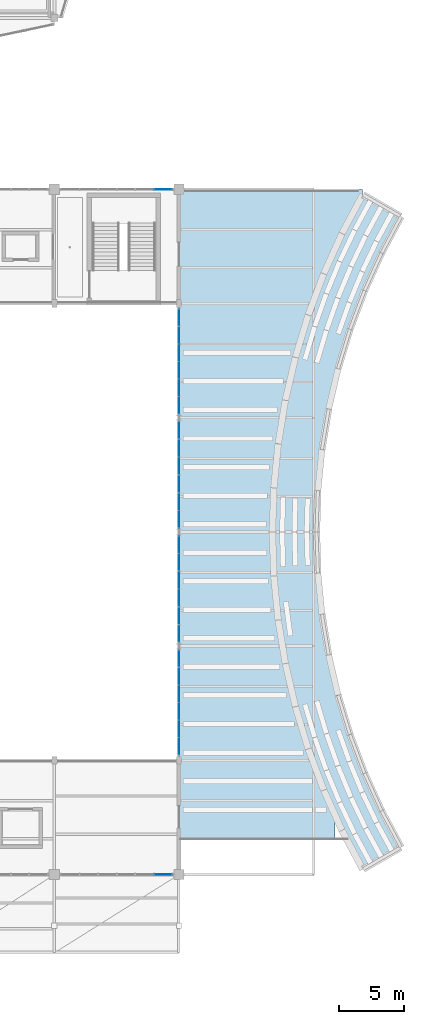
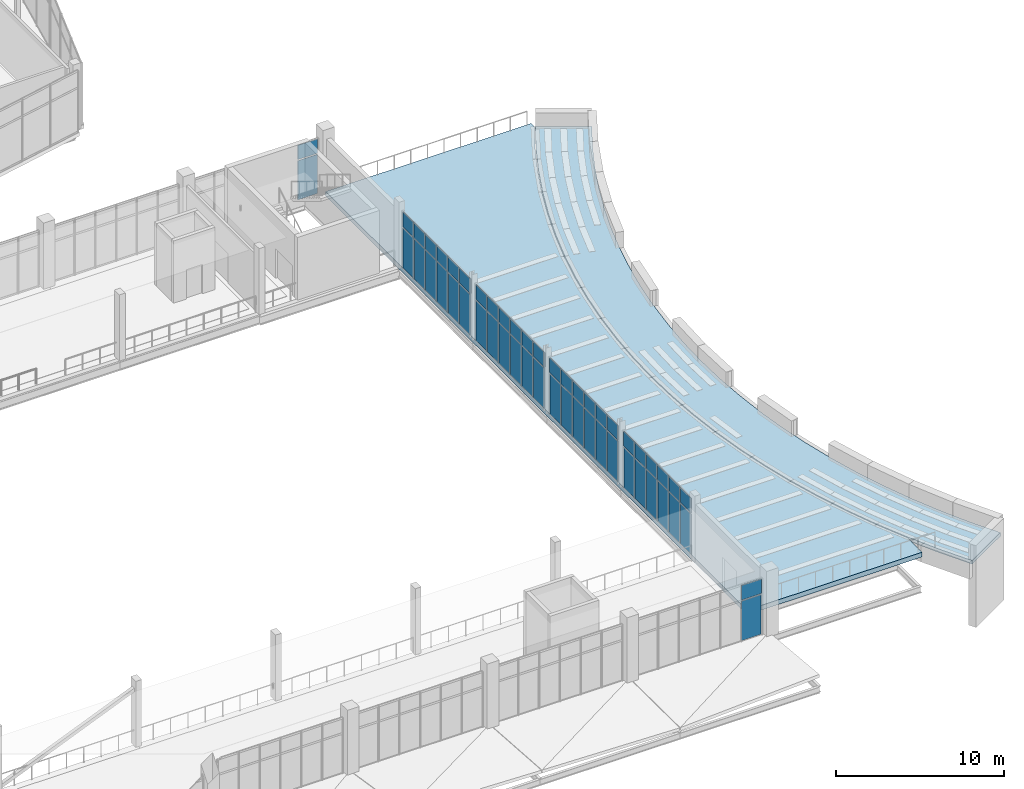
# One storey, part 126 of 157: 52 plates, 2 slabs, 6 elements without a shape of their own.
"""IFC4 building model written with IfcOpenShell, lengths in metres."""

from ifc_helpers import new_model, si_unit, direction, frame, origin, origin_2d, place, context, subcontext, project, spatial, polyline, rectangle, outline, extrude, material, layer, layer_set, type_object, element, aggregate, save


model = new_model("IFC4")

# Units and contexts
model_context = context("Model", 3, precision=1e-05, world=origin(), true_north=direction((0.0, 1.0)))
body_context = subcontext(model_context, "Body", "Model", "MODEL_VIEW")
ifc_project = project(units=[si_unit("LENGTHUNIT", "METRE"), si_unit("AREAUNIT", "SQUARE_METRE"), si_unit("VOLUMEUNIT", "CUBIC_METRE"), si_unit("PLANEANGLEUNIT", "RADIAN"), si_unit("MASSUNIT", "GRAM", prefix="KILO")], contexts=[model_context])

# Site, building, storey
site_placement = place(None, origin())
site = spatial("IfcSite", under=ifc_project, at=site_placement, CompositionType="ELEMENT")
building_placement = place(site_placement, origin())
building = spatial("IfcBuilding", under=site, at=building_placement, Name="Chalmorin Arch Market", CompositionType="ELEMENT")
storey_placement = place(building_placement, frame((0.0, 0.0, 4.800048828125)))
storey = spatial("IfcBuildingStorey", under=building, at=storey_placement, Name="L01", CompositionType="ELEMENT", Elevation=4.800048828125)

# Slabs
ifc_material_1 = material(Name="Concrete C40/50", Category="concrete")
ifc_layer_1 = layer(ifc_material_1, 0.340087890625)
ifc_layer_set_1 = layer_set([ifc_layer_1], Name="Concrete C40/50")
slab_type_1 = type_object("IfcSlabType", Name="GreenMoundDeckSlab-340", PredefinedType="FLOOR", material=ifc_layer_set_1)
slab_1_placement = place(storey_placement, frame((0.0, 0.0, -0.340087890625)))
element("IfcSlab", 1, at=slab_1_placement, inside=storey, type_object=slab_type_1, Name="ETS-340-093", PredefinedType="FLOOR", context=body_context, shape_type="SweptSolid", body=[
    extrude(outline(polyline([(124.820068359375, 58.800048828125), (138.931884765625, 58.800048828125), (138.931884765625, 58.419921875), (137.840087890625, 56.428955078125), (136.8359375, 54.39306640625), (135.9208984375, 52.31494140625), (135.097900390625, 50.198974609375), (134.368896484375, 48.049072265625), (133.73291015625, 45.868896484375), (133.194091796875, 43.6640625), (132.7509765625, 41.43701171875), (132.405029296875, 39.193115234375), (132.157958984375, 36.93603515625), (132.010009765625, 34.669921875), (131.9599609375, 32.39990234375), (132.010009765625, 30.1298828125), (132.157958984375, 27.864013671875), (132.405029296875, 25.60693359375), (132.7509765625, 23.363037109375), (133.194091796875, 21.135986328125), (133.73291015625, 18.930908203125), (134.368896484375, 16.7509765625), (135.097900390625, 14.60107421875), (135.9208984375, 12.485107421875), (136.8359375, 10.406982421875), (136.8359375, 8.64990234375), (124.820068359375, 8.64990234375), (124.820068359375, 58.800048828125)])), origin(), (0.0, 0.0, 1.0), 0.340087890625),
])
ifc_layer_2 = layer(ifc_material_1, 0.260009765625)
ifc_layer_set_2 = layer_set([ifc_layer_2], Name="Concrete C40/50")
slab_type_2 = type_object("IfcSlabType", Name="OutdoorTerraceLandingSlab-260", PredefinedType="BASESLAB", material=ifc_layer_set_2)
slab_2_placement = place(storey_placement, frame((0.0, 0.0, -0.260009765625)))
element("IfcSlab", 2, at=slab_2_placement, inside=storey, type_object=slab_type_2, Name="ETL-260-059", PredefinedType="BASESLAB", context=body_context, shape_type="SweptSolid", body=[
    extrude(outline(polyline([(138.97998046875, 58.39208984375), (137.888916015625, 56.404052734375), (136.885986328125, 54.3701171875), (135.971923828125, 52.2939453125), (135.14990234375, 50.179931640625), (134.4208984375, 48.031982421875), (133.785888671875, 45.85498046875), (133.2470703125, 43.652099609375), (132.804931640625, 41.427001953125), (132.4599609375, 39.18505859375), (132.212890625, 36.930908203125), (132.06396484375, 34.66796875), (132.014892578125, 32.39990234375), (132.06396484375, 30.132080078125), (132.212890625, 27.868896484375), (132.4599609375, 25.614990234375), (132.804931640625, 23.373046875), (133.2470703125, 21.14794921875), (133.785888671875, 18.945068359375), (134.4208984375, 16.76806640625), (135.14990234375, 14.6201171875), (135.971923828125, 12.506103515625), (136.885986328125, 10.429931640625), (137.888916015625, 8.39599609375), (138.97998046875, 6.406982421875), (141.89794921875, 8.092041015625), (140.8779296875, 9.951904296875), (139.93994140625, 11.85400390625), (139.0859375, 13.7958984375), (138.31689453125, 15.77294921875), (137.635009765625, 17.781005859375), (137.0419921875, 19.818115234375), (136.537109375, 21.8779296875), (136.1240234375, 23.9580078125), (135.801025390625, 26.053955078125), (135.570068359375, 28.1630859375), (135.430908203125, 30.279052734375), (135.385009765625, 32.39990234375), (135.430908203125, 34.52099609375), (135.570068359375, 36.636962890625), (135.801025390625, 38.74609375), (136.1240234375, 40.842041015625), (136.537109375, 42.922119140625), (137.0419921875, 44.98193359375), (137.635009765625, 47.01904296875), (138.31689453125, 49.027099609375), (139.0859375, 51.00390625), (139.93994140625, 52.946044921875), (140.8779296875, 54.847900390625), (141.89794921875, 56.70703125), (138.97998046875, 58.39208984375)])), origin(), (0.0, 0.0, 1.0), 0.260009765625),
])

# Curtain wall, plate
ifc_material_2 = material(Name="Aluminium 6063-T6", Category="aluminium")
ifc_layer_3 = layer(ifc_material_2, 0.159912109375)
ifc_layer_set_3 = layer_set([ifc_layer_3], Name="Aluminium 6063-T6")
curtain_wall_type_1 = type_object("IfcCurtainWallType", Name="MarketClerestoryCurtainWall-CW1-8580x4100", PredefinedType="NOTDEFINED", material=ifc_layer_set_3)
curtain_wall_1_placement = place(storey_placement, origin())
curtain_wall_1 = element("IfcCurtainWall", 3, at=curtain_wall_1_placement, inside=storey, type_object=curtain_wall_type_1, Name="CW-01-024", PredefinedType="NOTDEFINED")
ifc_material_3 = material(Name="Powder-coated Aluminium Panel", Category="aluminium")
ifc_layer_4 = layer(ifc_material_3, 0.0400390625)
ifc_layer_set_4 = layer_set([ifc_layer_4], Name="Powder-coated Aluminium Panel")
plate_type_1 = type_object("IfcPlateType", Name="ShadowboxSpandrelPanel-40", PredefinedType="CURTAIN_PANEL", material=ifc_layer_set_4)
plate_1_placement = place(storey_placement, frame((123.574951171875, 58.800048828125, 2.994140625), z_axis=(0.0, 0.0, 1.0), x_axis=(1.0, 0.0, 0.0)))
plate_1 = element("IfcPlate", 4, at=plate_1_placement, type_object=plate_type_1, Name="SP-40-024-06B", PredefinedType="CURTAIN_PANEL", context=body_context, shape_type="SweptSolid", body=[
    extrude(rectangle(XDim=1.35009765625, YDim=0.0400390625, at=origin_2d()), origin(), (0.0, 0.0, 1.0), 1.031982421875),
])

# Curtain wall, plates
ifc_layer_5 = layer(ifc_material_2, 0.159912109375)
ifc_layer_set_5 = layer_set([ifc_layer_5], Name="Aluminium 6063-T6")
curtain_wall_type_2 = type_object("IfcCurtainWallType", Name="GableTympanumCurtainWall-CW4-8100x4200", PredefinedType="NOTDEFINED", material=ifc_layer_set_5)
curtain_wall_2_placement = place(storey_placement, origin())
curtain_wall_2 = element("IfcCurtainWall", 5, at=curtain_wall_2_placement, inside=storey, type_object=curtain_wall_type_2, Name="CW-04-038", PredefinedType="NOTDEFINED")
plate_2_placement = place(storey_placement, frame((124.800048828125, 15.88525390625, 3.06884765625), z_axis=(0.0, 0.0, 1.0), x_axis=(0.0, 1.0, 0.0)))
plate_2 = element("IfcPlate", 6, at=plate_2_placement, type_object=plate_type_1, Name="SP-40-038-01B", PredefinedType="CURTAIN_PANEL", context=body_context, shape_type="SweptSolid", body=[
    extrude(rectangle(XDim=1.270263671875, YDim=0.0400390625, at=origin_2d()), origin(), (0.0, 0.0, 1.0), 1.06103515625),
])
plate_3_placement = place(storey_placement, frame((124.800048828125, 17.235595703125, 3.06884765625), z_axis=(0.0, 0.0, 1.0), x_axis=(0.0, 1.0, 0.0)))
plate_3 = element("IfcPlate", 7, at=plate_3_placement, type_object=plate_type_1, Name="SP-40-038-02B", PredefinedType="CURTAIN_PANEL", context=body_context, shape_type="SweptSolid", body=[
    extrude(rectangle(XDim=1.270263671875, YDim=0.0400390625, at=origin_2d()), origin(), (0.0, 0.0, 1.0), 1.06103515625),
])
plate_4_placement = place(storey_placement, frame((124.800048828125, 18.585693359375, 3.06884765625), z_axis=(0.0, 0.0, 1.0), x_axis=(0.0, 1.0, 0.0)))
plate_4 = element("IfcPlate", 8, at=plate_4_placement, type_object=plate_type_1, Name="SP-40-038-03B", PredefinedType="CURTAIN_PANEL", context=body_context, shape_type="SweptSolid", body=[
    extrude(rectangle(XDim=1.270263671875, YDim=0.0400390625, at=origin_2d()), origin(), (0.0, 0.0, 1.0), 1.06103515625),
])
plate_5_placement = place(storey_placement, frame((124.800048828125, 19.936279296875, 3.06884765625), z_axis=(0.0, 0.0, 1.0), x_axis=(0.0, 1.0, 0.0)))
plate_5 = element("IfcPlate", 9, at=plate_5_placement, type_object=plate_type_1, Name="SP-40-038-04B", PredefinedType="CURTAIN_PANEL", context=body_context, shape_type="SweptSolid", body=[
    extrude(rectangle(XDim=1.270263671875, YDim=0.0400390625, at=origin_2d()), origin(), (0.0, 0.0, 1.0), 1.06103515625),
])
plate_6_placement = place(storey_placement, frame((124.800048828125, 21.28662109375, 3.06884765625), z_axis=(0.0, 0.0, 1.0), x_axis=(0.0, 1.0, 0.0)))
plate_6 = element("IfcPlate", 10, at=plate_6_placement, type_object=plate_type_1, Name="SP-40-038-05B", PredefinedType="CURTAIN_PANEL", context=body_context, shape_type="SweptSolid", body=[
    extrude(rectangle(XDim=1.270263671875, YDim=0.0400390625, at=origin_2d()), origin(), (0.0, 0.0, 1.0), 1.06103515625),
])
plate_7_placement = place(storey_placement, frame((124.800048828125, 22.63671875, 3.06884765625), z_axis=(0.0, 0.0, 1.0), x_axis=(0.0, 1.0, 0.0)))
plate_7 = element("IfcPlate", 11, at=plate_7_placement, type_object=plate_type_1, Name="SP-40-038-06B", PredefinedType="CURTAIN_PANEL", context=body_context, shape_type="SweptSolid", body=[
    extrude(rectangle(XDim=1.270263671875, YDim=0.0400390625, at=origin_2d()), origin(), (0.0, 0.0, 1.0), 1.06103515625),
])

ifc_layer_6 = layer(ifc_material_2, 0.159912109375)
ifc_layer_set_6 = layer_set([ifc_layer_6], Name="Aluminium 6063-T6")
curtain_wall_type_3 = type_object("IfcCurtainWallType", Name="GableTympanumCurtainWall-CW4-8220x4200", PredefinedType="NOTDEFINED", material=ifc_layer_set_6)
curtain_wall_3_placement = place(storey_placement, origin())
curtain_wall_3 = element("IfcCurtainWall", 12, at=curtain_wall_3_placement, inside=storey, type_object=curtain_wall_type_3, Name="CW-04-040", PredefinedType="NOTDEFINED")
plate_8_placement = place(storey_placement, frame((124.800048828125, 24.5732421875, 3.06884765625), z_axis=(0.0, 0.0, 1.0), x_axis=(0.0, 1.0, 0.0)))
plate_8 = element("IfcPlate", 13, at=plate_8_placement, type_object=plate_type_1, Name="SP-40-040-01B", PredefinedType="CURTAIN_PANEL", context=body_context, shape_type="SweptSolid", body=[
    extrude(rectangle(XDim=1.290771484375, YDim=0.0400390625, at=origin_2d()), origin(), (0.0, 0.0, 1.0), 1.06103515625),
])
plate_9_placement = place(storey_placement, frame((124.800048828125, 25.944091796875, 3.06884765625), z_axis=(0.0, 0.0, 1.0), x_axis=(0.0, 1.0, 0.0)))
plate_9 = element("IfcPlate", 14, at=plate_9_placement, type_object=plate_type_1, Name="SP-40-040-02B", PredefinedType="CURTAIN_PANEL", context=body_context, shape_type="SweptSolid", body=[
    extrude(rectangle(XDim=1.290771484375, YDim=0.0400390625, at=origin_2d()), origin(), (0.0, 0.0, 1.0), 1.06103515625),
])
plate_10_placement = place(storey_placement, frame((124.800048828125, 27.314697265625, 3.06884765625), z_axis=(0.0, 0.0, 1.0), x_axis=(0.0, 1.0, 0.0)))
plate_10 = element("IfcPlate", 15, at=plate_10_placement, type_object=plate_type_1, Name="SP-40-040-03B", PredefinedType="CURTAIN_PANEL", context=body_context, shape_type="SweptSolid", body=[
    extrude(rectangle(XDim=1.290771484375, YDim=0.0400390625, at=origin_2d()), origin(), (0.0, 0.0, 1.0), 1.06103515625),
])
plate_11_placement = place(storey_placement, frame((124.800048828125, 28.685302734375, 3.06884765625), z_axis=(0.0, 0.0, 1.0), x_axis=(0.0, 1.0, 0.0)))
plate_11 = element("IfcPlate", 16, at=plate_11_placement, type_object=plate_type_1, Name="SP-40-040-04B", PredefinedType="CURTAIN_PANEL", context=body_context, shape_type="SweptSolid", body=[
    extrude(rectangle(XDim=1.290771484375, YDim=0.0400390625, at=origin_2d()), origin(), (0.0, 0.0, 1.0), 1.06103515625),
])
plate_12_placement = place(storey_placement, frame((124.800048828125, 30.055908203125, 3.06884765625), z_axis=(0.0, 0.0, 1.0), x_axis=(0.0, 1.0, 0.0)))
plate_12 = element("IfcPlate", 17, at=plate_12_placement, type_object=plate_type_1, Name="SP-40-040-05B", PredefinedType="CURTAIN_PANEL", context=body_context, shape_type="SweptSolid", body=[
    extrude(rectangle(XDim=1.290771484375, YDim=0.0400390625, at=origin_2d()), origin(), (0.0, 0.0, 1.0), 1.06103515625),
])
plate_13_placement = place(storey_placement, frame((124.800048828125, 31.4267578125, 3.06884765625), z_axis=(0.0, 0.0, 1.0), x_axis=(0.0, 1.0, 0.0)))
plate_13 = element("IfcPlate", 18, at=plate_13_placement, type_object=plate_type_1, Name="SP-40-040-06B", PredefinedType="CURTAIN_PANEL", context=body_context, shape_type="SweptSolid", body=[
    extrude(rectangle(XDim=1.290771484375, YDim=0.0400390625, at=origin_2d()), origin(), (0.0, 0.0, 1.0), 1.06103515625),
])

curtain_wall_4_placement = place(storey_placement, origin())
curtain_wall_4 = element("IfcCurtainWall", 19, at=curtain_wall_4_placement, inside=storey, type_object=curtain_wall_type_3, Name="CW-04-041", PredefinedType="NOTDEFINED")
plate_14_placement = place(storey_placement, frame((124.800048828125, 33.373291015625, 3.06884765625), z_axis=(0.0, 0.0, 1.0), x_axis=(0.0, 1.0, 0.0)))
plate_14 = element("IfcPlate", 20, at=plate_14_placement, type_object=plate_type_1, Name="SP-40-041-01B", PredefinedType="CURTAIN_PANEL", context=body_context, shape_type="SweptSolid", body=[
    extrude(rectangle(XDim=1.290771484375, YDim=0.0400390625, at=origin_2d()), origin(), (0.0, 0.0, 1.0), 1.06103515625),
])
plate_15_placement = place(storey_placement, frame((124.800048828125, 34.743896484375, 3.06884765625), z_axis=(0.0, 0.0, 1.0), x_axis=(0.0, 1.0, 0.0)))
plate_15 = element("IfcPlate", 21, at=plate_15_placement, type_object=plate_type_1, Name="SP-40-041-02B", PredefinedType="CURTAIN_PANEL", context=body_context, shape_type="SweptSolid", body=[
    extrude(rectangle(XDim=1.290771484375, YDim=0.0400390625, at=origin_2d()), origin(), (0.0, 0.0, 1.0), 1.06103515625),
])
plate_16_placement = place(storey_placement, frame((124.800048828125, 36.11474609375, 3.06884765625), z_axis=(0.0, 0.0, 1.0), x_axis=(0.0, 1.0, 0.0)))
plate_16 = element("IfcPlate", 22, at=plate_16_placement, type_object=plate_type_1, Name="SP-40-041-03B", PredefinedType="CURTAIN_PANEL", context=body_context, shape_type="SweptSolid", body=[
    extrude(rectangle(XDim=1.290771484375, YDim=0.0400390625, at=origin_2d()), origin(), (0.0, 0.0, 1.0), 1.06103515625),
])
plate_17_placement = place(storey_placement, frame((124.800048828125, 37.4853515625, 3.06884765625), z_axis=(0.0, 0.0, 1.0), x_axis=(0.0, 1.0, 0.0)))
plate_17 = element("IfcPlate", 23, at=plate_17_placement, type_object=plate_type_1, Name="SP-40-041-04B", PredefinedType="CURTAIN_PANEL", context=body_context, shape_type="SweptSolid", body=[
    extrude(rectangle(XDim=1.290771484375, YDim=0.0400390625, at=origin_2d()), origin(), (0.0, 0.0, 1.0), 1.06103515625),
])
plate_18_placement = place(storey_placement, frame((124.800048828125, 38.85595703125, 3.06884765625), z_axis=(0.0, 0.0, 1.0), x_axis=(0.0, 1.0, 0.0)))
plate_18 = element("IfcPlate", 24, at=plate_18_placement, type_object=plate_type_1, Name="SP-40-041-05B", PredefinedType="CURTAIN_PANEL", context=body_context, shape_type="SweptSolid", body=[
    extrude(rectangle(XDim=1.290771484375, YDim=0.0400390625, at=origin_2d()), origin(), (0.0, 0.0, 1.0), 1.06103515625),
])
plate_19_placement = place(storey_placement, frame((124.800048828125, 40.226806640625, 3.06884765625), z_axis=(0.0, 0.0, 1.0), x_axis=(0.0, 1.0, 0.0)))
plate_19 = element("IfcPlate", 25, at=plate_19_placement, type_object=plate_type_1, Name="SP-40-041-06B", PredefinedType="CURTAIN_PANEL", context=body_context, shape_type="SweptSolid", body=[
    extrude(rectangle(XDim=1.290771484375, YDim=0.0400390625, at=origin_2d()), origin(), (0.0, 0.0, 1.0), 1.06103515625),
])

curtain_wall_5_placement = place(storey_placement, origin())
curtain_wall_5 = element("IfcCurtainWall", 26, at=curtain_wall_5_placement, inside=storey, type_object=curtain_wall_type_2, Name="CW-04-042", PredefinedType="NOTDEFINED")
plate_20_placement = place(storey_placement, frame((124.800048828125, 42.1630859375, 3.06884765625), z_axis=(0.0, 0.0, 1.0), x_axis=(0.0, 1.0, 0.0)))
plate_20 = element("IfcPlate", 27, at=plate_20_placement, type_object=plate_type_1, Name="SP-40-042-01B", PredefinedType="CURTAIN_PANEL", context=body_context, shape_type="SweptSolid", body=[
    extrude(rectangle(XDim=1.270263671875, YDim=0.0400390625, at=origin_2d()), origin(), (0.0, 0.0, 1.0), 1.06103515625),
])
plate_21_placement = place(storey_placement, frame((124.800048828125, 43.513427734375, 3.06884765625), z_axis=(0.0, 0.0, 1.0), x_axis=(0.0, 1.0, 0.0)))
plate_21 = element("IfcPlate", 28, at=plate_21_placement, type_object=plate_type_1, Name="SP-40-042-02B", PredefinedType="CURTAIN_PANEL", context=body_context, shape_type="SweptSolid", body=[
    extrude(rectangle(XDim=1.270263671875, YDim=0.0400390625, at=origin_2d()), origin(), (0.0, 0.0, 1.0), 1.06103515625),
])
plate_22_placement = place(storey_placement, frame((124.800048828125, 44.86376953125, 3.06884765625), z_axis=(0.0, 0.0, 1.0), x_axis=(0.0, 1.0, 0.0)))
plate_22 = element("IfcPlate", 29, at=plate_22_placement, type_object=plate_type_1, Name="SP-40-042-03B", PredefinedType="CURTAIN_PANEL", context=body_context, shape_type="SweptSolid", body=[
    extrude(rectangle(XDim=1.270263671875, YDim=0.0400390625, at=origin_2d()), origin(), (0.0, 0.0, 1.0), 1.06103515625),
])
plate_23_placement = place(storey_placement, frame((124.800048828125, 46.214111328125, 3.06884765625), z_axis=(0.0, 0.0, 1.0), x_axis=(0.0, 1.0, 0.0)))
plate_23 = element("IfcPlate", 30, at=plate_23_placement, type_object=plate_type_1, Name="SP-40-042-04B", PredefinedType="CURTAIN_PANEL", context=body_context, shape_type="SweptSolid", body=[
    extrude(rectangle(XDim=1.270263671875, YDim=0.0400390625, at=origin_2d()), origin(), (0.0, 0.0, 1.0), 1.06103515625),
])
plate_24_placement = place(storey_placement, frame((124.800048828125, 47.564453125, 3.06884765625), z_axis=(0.0, 0.0, 1.0), x_axis=(0.0, 1.0, 0.0)))
plate_24 = element("IfcPlate", 31, at=plate_24_placement, type_object=plate_type_1, Name="SP-40-042-05B", PredefinedType="CURTAIN_PANEL", context=body_context, shape_type="SweptSolid", body=[
    extrude(rectangle(XDim=1.270263671875, YDim=0.0400390625, at=origin_2d()), origin(), (0.0, 0.0, 1.0), 1.06103515625),
])
plate_25_placement = place(storey_placement, frame((124.800048828125, 48.914794921875, 3.06884765625), z_axis=(0.0, 0.0, 1.0), x_axis=(0.0, 1.0, 0.0)))
plate_25 = element("IfcPlate", 32, at=plate_25_placement, type_object=plate_type_1, Name="SP-40-042-06B", PredefinedType="CURTAIN_PANEL", context=body_context, shape_type="SweptSolid", body=[
    extrude(rectangle(XDim=1.270263671875, YDim=0.0400390625, at=origin_2d()), origin(), (0.0, 0.0, 1.0), 1.06103515625),
])

ifc_layer_7 = layer(ifc_material_2, 0.159912109375)
ifc_layer_set_7 = layer_set([ifc_layer_7], Name="Aluminium 6063-T6")
curtain_wall_type_4 = type_object("IfcCurtainWallType", Name="MarketClerestoryCurtainWall-CW1-8580x4150", PredefinedType="NOTDEFINED", material=ifc_layer_set_7)
curtain_wall_6_placement = place(storey_placement, origin())
curtain_wall_6 = element("IfcCurtainWall", 33, at=curtain_wall_6_placement, inside=storey, type_object=curtain_wall_type_4, Name="CW-01-022", PredefinedType="NOTDEFINED")
ifc_material_4 = material(Name="Architectural Terracotta", Category="masonry")
ifc_layer_8 = layer(ifc_material_4, 0.044921875)
ifc_layer_set_8 = layer_set([ifc_layer_8], Name="Architectural Terracotta")
plate_type_2 = type_object("IfcPlateType", Name="TerracottaSpandrelPanel-45", PredefinedType="CURTAIN_PANEL", material=ifc_layer_set_8)
plate_26_placement = place(storey_placement, frame((123.574951171875, 6.0, 3.03271484375), z_axis=(0.0, 0.0, 1.0), x_axis=(1.0, 0.0, 0.0)))
plate_26 = element("IfcPlate", 34, at=plate_26_placement, type_object=plate_type_2, Name="SP-45-022-06B", PredefinedType="CURTAIN_PANEL", context=body_context, shape_type="SweptSolid", body=[
    extrude(rectangle(XDim=1.35009765625, YDim=0.044921875, at=origin_2d()), origin(), (0.0, 0.0, 1.0), 1.047119140625),
])
ifc_material_5 = material(Name="Laminated Acoustic Glass", Category="glass")
ifc_layer_9 = layer(ifc_material_5, 0.031982421875)
ifc_layer_set_9 = layer_set([ifc_layer_9], Name="Laminated Acoustic Glass")
plate_type_3 = type_object("IfcPlateType", Name="TintedClerestoryGlass-32", PredefinedType="CURTAIN_PANEL", material=ifc_layer_set_9)
plate_27_placement = place(storey_placement, frame((123.574951171875, 6.0, 0.06982421875), z_axis=(0.0, 0.0, 1.0), x_axis=(1.0, 0.0, 0.0)))
plate_27 = element("IfcPlate", 35, at=plate_27_placement, type_object=plate_type_3, Name="GL-32-022-06A", PredefinedType="CURTAIN_PANEL", context=body_context, shape_type="SweptSolid", body=[
    extrude(rectangle(XDim=1.35009765625, YDim=0.031982421875, at=origin_2d()), origin(), (0.0, 0.0, 1.0), 2.873046875),
])
aggregate(curtain_wall_6, [plate_27, plate_26])

# Plate
ifc_material_6 = material(Name="Low-E Tempered Glass", Category="glass")
ifc_layer_10 = layer(ifc_material_6, 0.028076171875)
ifc_layer_set_10 = layer_set([ifc_layer_10], Name="Low-E Tempered Glass")
plate_type_4 = type_object("IfcPlateType", Name="VisionIGUPanel-28", PredefinedType="CURTAIN_PANEL", material=ifc_layer_set_10)
plate_28_placement = place(storey_placement, frame((123.574951171875, 58.800048828125, 0.070068359375), z_axis=(0.0, 0.0, 1.0), x_axis=(1.0, 0.0, 0.0)))
plate_28 = element("IfcPlate", 36, at=plate_28_placement, type_object=plate_type_4, Name="GL-28-024-06A", PredefinedType="CURTAIN_PANEL", context=body_context, shape_type="SweptSolid", body=[
    extrude(rectangle(XDim=1.35009765625, YDim=0.028076171875, at=origin_2d()), origin(), (0.0, 0.0, 1.0), 2.833984375),
])

aggregate(curtain_wall_1, [plate_28, plate_1])

plate_29_placement = place(storey_placement, frame((124.800048828125, 15.88525390625, 0.06982421875), z_axis=(0.0, 0.0, 1.0), x_axis=(0.0, 1.0, 0.0)))
plate_29 = element("IfcPlate", 37, at=plate_29_placement, type_object=plate_type_4, Name="GL-28-038-01A", PredefinedType="CURTAIN_PANEL", context=body_context, shape_type="SweptSolid", body=[
    extrude(rectangle(XDim=1.270263671875, YDim=0.028076171875, at=origin_2d()), origin(), (0.0, 0.0, 1.0), 2.908935546875),
])

plate_30_placement = place(storey_placement, frame((124.800048828125, 17.235595703125, 0.06982421875), z_axis=(0.0, 0.0, 1.0), x_axis=(0.0, 1.0, 0.0)))
plate_30 = element("IfcPlate", 38, at=plate_30_placement, type_object=plate_type_4, Name="GL-28-038-02A", PredefinedType="CURTAIN_PANEL", context=body_context, shape_type="SweptSolid", body=[
    extrude(rectangle(XDim=1.270263671875, YDim=0.028076171875, at=origin_2d()), origin(), (0.0, 0.0, 1.0), 2.908935546875),
])

plate_31_placement = place(storey_placement, frame((124.800048828125, 18.585693359375, 0.06982421875), z_axis=(0.0, 0.0, 1.0), x_axis=(0.0, 1.0, 0.0)))
plate_31 = element("IfcPlate", 39, at=plate_31_placement, type_object=plate_type_4, Name="GL-28-038-03A", PredefinedType="CURTAIN_PANEL", context=body_context, shape_type="SweptSolid", body=[
    extrude(rectangle(XDim=1.270263671875, YDim=0.028076171875, at=origin_2d()), origin(), (0.0, 0.0, 1.0), 2.908935546875),
])

plate_32_placement = place(storey_placement, frame((124.800048828125, 19.936279296875, 0.06982421875), z_axis=(0.0, 0.0, 1.0), x_axis=(0.0, 1.0, 0.0)))
plate_32 = element("IfcPlate", 40, at=plate_32_placement, type_object=plate_type_4, Name="GL-28-038-04A", PredefinedType="CURTAIN_PANEL", context=body_context, shape_type="SweptSolid", body=[
    extrude(rectangle(XDim=1.270263671875, YDim=0.028076171875, at=origin_2d()), origin(), (0.0, 0.0, 1.0), 2.908935546875),
])

plate_33_placement = place(storey_placement, frame((124.800048828125, 21.28662109375, 0.06982421875), z_axis=(0.0, 0.0, 1.0), x_axis=(0.0, 1.0, 0.0)))
plate_33 = element("IfcPlate", 41, at=plate_33_placement, type_object=plate_type_4, Name="GL-28-038-05A", PredefinedType="CURTAIN_PANEL", context=body_context, shape_type="SweptSolid", body=[
    extrude(rectangle(XDim=1.270263671875, YDim=0.028076171875, at=origin_2d()), origin(), (0.0, 0.0, 1.0), 2.908935546875),
])

plate_34_placement = place(storey_placement, frame((124.800048828125, 22.63671875, 0.06982421875), z_axis=(0.0, 0.0, 1.0), x_axis=(0.0, 1.0, 0.0)))
plate_34 = element("IfcPlate", 42, at=plate_34_placement, type_object=plate_type_4, Name="GL-28-038-06A", PredefinedType="CURTAIN_PANEL", context=body_context, shape_type="SweptSolid", body=[
    extrude(rectangle(XDim=1.270263671875, YDim=0.028076171875, at=origin_2d()), origin(), (0.0, 0.0, 1.0), 2.908935546875),
])

aggregate(curtain_wall_2, [plate_29, plate_2, plate_30, plate_3, plate_31, plate_4, plate_32, plate_5, plate_33, plate_6, plate_34, plate_7])

plate_35_placement = place(storey_placement, frame((124.800048828125, 24.5732421875, 0.06982421875), z_axis=(0.0, 0.0, 1.0), x_axis=(0.0, 1.0, 0.0)))
plate_35 = element("IfcPlate", 43, at=plate_35_placement, type_object=plate_type_4, Name="GL-28-040-01A", PredefinedType="CURTAIN_PANEL", context=body_context, shape_type="SweptSolid", body=[
    extrude(rectangle(XDim=1.290771484375, YDim=0.028076171875, at=origin_2d()), origin(), (0.0, 0.0, 1.0), 2.908935546875),
])

plate_36_placement = place(storey_placement, frame((124.800048828125, 25.944091796875, 0.06982421875), z_axis=(0.0, 0.0, 1.0), x_axis=(0.0, 1.0, 0.0)))
plate_36 = element("IfcPlate", 44, at=plate_36_placement, type_object=plate_type_4, Name="GL-28-040-02A", PredefinedType="CURTAIN_PANEL", context=body_context, shape_type="SweptSolid", body=[
    extrude(rectangle(XDim=1.290771484375, YDim=0.028076171875, at=origin_2d()), origin(), (0.0, 0.0, 1.0), 2.908935546875),
])

plate_37_placement = place(storey_placement, frame((124.800048828125, 27.314697265625, 0.06982421875), z_axis=(0.0, 0.0, 1.0), x_axis=(0.0, 1.0, 0.0)))
plate_37 = element("IfcPlate", 45, at=plate_37_placement, type_object=plate_type_4, Name="GL-28-040-03A", PredefinedType="CURTAIN_PANEL", context=body_context, shape_type="SweptSolid", body=[
    extrude(rectangle(XDim=1.290771484375, YDim=0.028076171875, at=origin_2d()), origin(), (0.0, 0.0, 1.0), 2.908935546875),
])

plate_38_placement = place(storey_placement, frame((124.800048828125, 28.685302734375, 0.06982421875), z_axis=(0.0, 0.0, 1.0), x_axis=(0.0, 1.0, 0.0)))
plate_38 = element("IfcPlate", 46, at=plate_38_placement, type_object=plate_type_4, Name="GL-28-040-04A", PredefinedType="CURTAIN_PANEL", context=body_context, shape_type="SweptSolid", body=[
    extrude(rectangle(XDim=1.290771484375, YDim=0.028076171875, at=origin_2d()), origin(), (0.0, 0.0, 1.0), 2.908935546875),
])

plate_39_placement = place(storey_placement, frame((124.800048828125, 30.055908203125, 0.06982421875), z_axis=(0.0, 0.0, 1.0), x_axis=(0.0, 1.0, 0.0)))
plate_39 = element("IfcPlate", 47, at=plate_39_placement, type_object=plate_type_4, Name="GL-28-040-05A", PredefinedType="CURTAIN_PANEL", context=body_context, shape_type="SweptSolid", body=[
    extrude(rectangle(XDim=1.290771484375, YDim=0.028076171875, at=origin_2d()), origin(), (0.0, 0.0, 1.0), 2.908935546875),
])

plate_40_placement = place(storey_placement, frame((124.800048828125, 31.4267578125, 0.06982421875), z_axis=(0.0, 0.0, 1.0), x_axis=(0.0, 1.0, 0.0)))
plate_40 = element("IfcPlate", 48, at=plate_40_placement, type_object=plate_type_4, Name="GL-28-040-06A", PredefinedType="CURTAIN_PANEL", context=body_context, shape_type="SweptSolid", body=[
    extrude(rectangle(XDim=1.290771484375, YDim=0.028076171875, at=origin_2d()), origin(), (0.0, 0.0, 1.0), 2.908935546875),
])

aggregate(curtain_wall_3, [plate_35, plate_8, plate_36, plate_9, plate_37, plate_10, plate_38, plate_11, plate_39, plate_12, plate_40, plate_13])

plate_41_placement = place(storey_placement, frame((124.800048828125, 33.373291015625, 0.06982421875), z_axis=(0.0, 0.0, 1.0), x_axis=(0.0, 1.0, 0.0)))
plate_41 = element("IfcPlate", 49, at=plate_41_placement, type_object=plate_type_4, Name="GL-28-041-01A", PredefinedType="CURTAIN_PANEL", context=body_context, shape_type="SweptSolid", body=[
    extrude(rectangle(XDim=1.290771484375, YDim=0.028076171875, at=origin_2d()), origin(), (0.0, 0.0, 1.0), 2.908935546875),
])

plate_42_placement = place(storey_placement, frame((124.800048828125, 34.743896484375, 0.06982421875), z_axis=(0.0, 0.0, 1.0), x_axis=(0.0, 1.0, 0.0)))
plate_42 = element("IfcPlate", 50, at=plate_42_placement, type_object=plate_type_4, Name="GL-28-041-02A", PredefinedType="CURTAIN_PANEL", context=body_context, shape_type="SweptSolid", body=[
    extrude(rectangle(XDim=1.290771484375, YDim=0.028076171875, at=origin_2d()), origin(), (0.0, 0.0, 1.0), 2.908935546875),
])

plate_43_placement = place(storey_placement, frame((124.800048828125, 36.11474609375, 0.06982421875), z_axis=(0.0, 0.0, 1.0), x_axis=(0.0, 1.0, 0.0)))
plate_43 = element("IfcPlate", 51, at=plate_43_placement, type_object=plate_type_4, Name="GL-28-041-03A", PredefinedType="CURTAIN_PANEL", context=body_context, shape_type="SweptSolid", body=[
    extrude(rectangle(XDim=1.290771484375, YDim=0.028076171875, at=origin_2d()), origin(), (0.0, 0.0, 1.0), 2.908935546875),
])

plate_44_placement = place(storey_placement, frame((124.800048828125, 37.4853515625, 0.06982421875), z_axis=(0.0, 0.0, 1.0), x_axis=(0.0, 1.0, 0.0)))
plate_44 = element("IfcPlate", 52, at=plate_44_placement, type_object=plate_type_4, Name="GL-28-041-04A", PredefinedType="CURTAIN_PANEL", context=body_context, shape_type="SweptSolid", body=[
    extrude(rectangle(XDim=1.290771484375, YDim=0.028076171875, at=origin_2d()), origin(), (0.0, 0.0, 1.0), 2.908935546875),
])

plate_45_placement = place(storey_placement, frame((124.800048828125, 38.85595703125, 0.06982421875), z_axis=(0.0, 0.0, 1.0), x_axis=(0.0, 1.0, 0.0)))
plate_45 = element("IfcPlate", 53, at=plate_45_placement, type_object=plate_type_4, Name="GL-28-041-05A", PredefinedType="CURTAIN_PANEL", context=body_context, shape_type="SweptSolid", body=[
    extrude(rectangle(XDim=1.290771484375, YDim=0.028076171875, at=origin_2d()), origin(), (0.0, 0.0, 1.0), 2.908935546875),
])

plate_46_placement = place(storey_placement, frame((124.800048828125, 40.226806640625, 0.06982421875), z_axis=(0.0, 0.0, 1.0), x_axis=(0.0, 1.0, 0.0)))
plate_46 = element("IfcPlate", 54, at=plate_46_placement, type_object=plate_type_4, Name="GL-28-041-06A", PredefinedType="CURTAIN_PANEL", context=body_context, shape_type="SweptSolid", body=[
    extrude(rectangle(XDim=1.290771484375, YDim=0.028076171875, at=origin_2d()), origin(), (0.0, 0.0, 1.0), 2.908935546875),
])

aggregate(curtain_wall_4, [plate_41, plate_14, plate_42, plate_15, plate_43, plate_16, plate_44, plate_17, plate_45, plate_18, plate_46, plate_19])

plate_47_placement = place(storey_placement, frame((124.800048828125, 42.1630859375, 0.06982421875), z_axis=(0.0, 0.0, 1.0), x_axis=(0.0, 1.0, 0.0)))
plate_47 = element("IfcPlate", 55, at=plate_47_placement, type_object=plate_type_4, Name="GL-28-042-01A", PredefinedType="CURTAIN_PANEL", context=body_context, shape_type="SweptSolid", body=[
    extrude(rectangle(XDim=1.270263671875, YDim=0.028076171875, at=origin_2d()), origin(), (0.0, 0.0, 1.0), 2.908935546875),
])

plate_48_placement = place(storey_placement, frame((124.800048828125, 43.513427734375, 0.06982421875), z_axis=(0.0, 0.0, 1.0), x_axis=(0.0, 1.0, 0.0)))
plate_48 = element("IfcPlate", 56, at=plate_48_placement, type_object=plate_type_4, Name="GL-28-042-02A", PredefinedType="CURTAIN_PANEL", context=body_context, shape_type="SweptSolid", body=[
    extrude(rectangle(XDim=1.270263671875, YDim=0.028076171875, at=origin_2d()), origin(), (0.0, 0.0, 1.0), 2.908935546875),
])

plate_49_placement = place(storey_placement, frame((124.800048828125, 44.86376953125, 0.06982421875), z_axis=(0.0, 0.0, 1.0), x_axis=(0.0, 1.0, 0.0)))
plate_49 = element("IfcPlate", 57, at=plate_49_placement, type_object=plate_type_4, Name="GL-28-042-03A", PredefinedType="CURTAIN_PANEL", context=body_context, shape_type="SweptSolid", body=[
    extrude(rectangle(XDim=1.270263671875, YDim=0.028076171875, at=origin_2d()), origin(), (0.0, 0.0, 1.0), 2.908935546875),
])

plate_50_placement = place(storey_placement, frame((124.800048828125, 46.214111328125, 0.06982421875), z_axis=(0.0, 0.0, 1.0), x_axis=(0.0, 1.0, 0.0)))
plate_50 = element("IfcPlate", 58, at=plate_50_placement, type_object=plate_type_4, Name="GL-28-042-04A", PredefinedType="CURTAIN_PANEL", context=body_context, shape_type="SweptSolid", body=[
    extrude(rectangle(XDim=1.270263671875, YDim=0.028076171875, at=origin_2d()), origin(), (0.0, 0.0, 1.0), 2.908935546875),
])

plate_51_placement = place(storey_placement, frame((124.800048828125, 47.564453125, 0.06982421875), z_axis=(0.0, 0.0, 1.0), x_axis=(0.0, 1.0, 0.0)))
plate_51 = element("IfcPlate", 59, at=plate_51_placement, type_object=plate_type_4, Name="GL-28-042-05A", PredefinedType="CURTAIN_PANEL", context=body_context, shape_type="SweptSolid", body=[
    extrude(rectangle(XDim=1.270263671875, YDim=0.028076171875, at=origin_2d()), origin(), (0.0, 0.0, 1.0), 2.908935546875),
])

plate_52_placement = place(storey_placement, frame((124.800048828125, 48.914794921875, 0.06982421875), z_axis=(0.0, 0.0, 1.0), x_axis=(0.0, 1.0, 0.0)))
plate_52 = element("IfcPlate", 60, at=plate_52_placement, type_object=plate_type_4, Name="GL-28-042-06A", PredefinedType="CURTAIN_PANEL", context=body_context, shape_type="SweptSolid", body=[
    extrude(rectangle(XDim=1.270263671875, YDim=0.028076171875, at=origin_2d()), origin(), (0.0, 0.0, 1.0), 2.908935546875),
])

aggregate(curtain_wall_5, [plate_47, plate_20, plate_48, plate_21, plate_49, plate_22, plate_50, plate_23, plate_51, plate_24, plate_52, plate_25])

save(model, "model.ifc")
